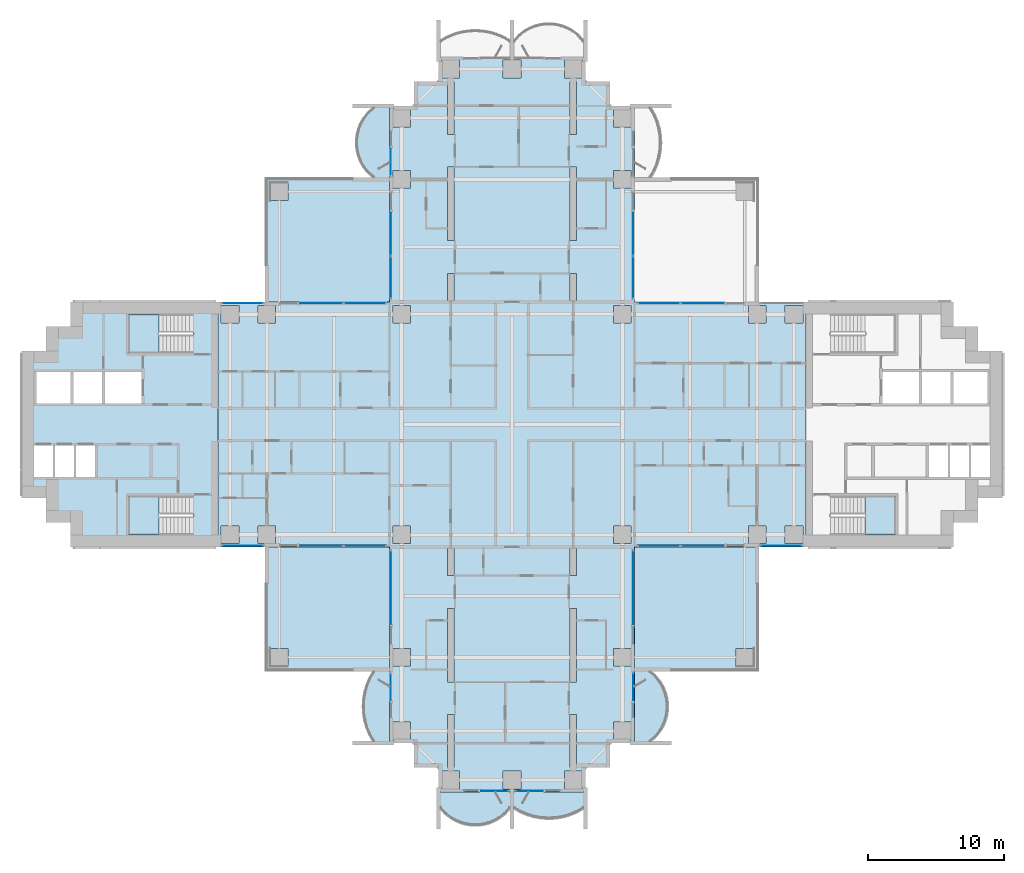
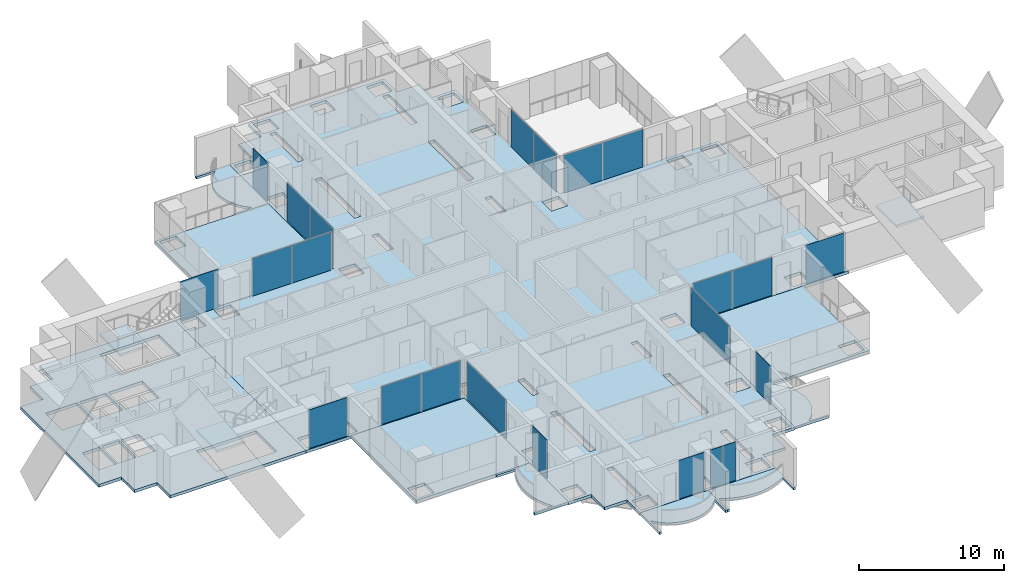
# One storey, part 9 of 23: 22 plates, 13 slabs, 19 elements without a shape of their own.
"""IFC4 building model written with IfcOpenShell, lengths in metres."""

from ifc_helpers import new_model, si_unit, direction, frame, origin, origin_2d, place, context, subcontext, project, spatial, polyline, rectangle, outline, extrude, material, layer, layer_set, type_object, element, aggregate, save


model = new_model("IFC4")

# Units and contexts
model_context = context("Model", 3, precision=1e-05, world=origin(), true_north=direction((0.0, 1.0)))
body_context = subcontext(model_context, "Body", "Model", "MODEL_VIEW")
ifc_project = project(units=[si_unit("LENGTHUNIT", "METRE"), si_unit("AREAUNIT", "SQUARE_METRE"), si_unit("VOLUMEUNIT", "CUBIC_METRE"), si_unit("PLANEANGLEUNIT", "RADIAN"), si_unit("MASSUNIT", "GRAM", prefix="KILO")], contexts=[model_context])

# Site, building, storey
site_placement = place(None, origin())
site = spatial("IfcSite", under=ifc_project, at=site_placement, CompositionType="ELEMENT")
building_placement = place(site_placement, origin())
building = spatial("IfcBuilding", under=site, at=building_placement, Name="Perihelion Cross Residences", CompositionType="ELEMENT")
storey_placement = place(building_placement, frame((0.0, 0.0, 61.0)))
storey = spatial("IfcBuildingStorey", under=building, at=storey_placement, Name="L12", CompositionType="ELEMENT", Elevation=61.0)

# Slabs
ifc_material_1 = material(Name="Concrete C40/50", Category="concrete")
ifc_layer_1 = layer(ifc_material_1, 0.199951171875)
ifc_layer_set_1 = layer_set([ifc_layer_1], Name="Balcony slab 200")
slab_type_1 = type_object("IfcSlabType", Name="Balcony slab 200", PredefinedType="FLOOR", material=ifc_layer_set_1)
slab_1_placement = place(storey_placement, frame((0.0, 0.0, -0.199951171875)))
element("IfcSlab", 1, at=slab_1_placement, inside=storey, type_object=slab_type_1, Name="Slab BK1 L12 north side west bay 1 balcony", PredefinedType="FLOOR", context=body_context, shape_type="SweptSolid", body=[
    extrude(outline(polyline([(-9.0, 23.39990234375), (-9.0, 18.0), (-11.699951171875, 18.0), (-11.699951171875, 18.14990234375), (-10.199951171875, 18.14990234375), (-10.622314453125, 18.542236328125), (-10.924072265625, 18.9345703125), (-11.143310546875, 19.326904296875), (-11.29736328125, 19.71923828125), (-11.39599609375, 20.111572265625), (-11.444091796875, 20.50390625), (-11.444091796875, 20.896240234375), (-11.39599609375, 21.28857421875), (-11.29736328125, 21.6806640625), (-11.143310546875, 22.072998046875), (-10.924072265625, 22.46533203125), (-10.622314453125, 22.857666015625), (-10.199951171875, 23.25), (-11.699951171875, 23.25), (-11.699951171875, 23.39990234375), (-9.0, 23.39990234375)])), origin(), (0.0, 0.0, 1.0), 0.199951171875),
])
slab_2_placement = place(storey_placement, frame((0.0, 0.0, -0.199951171875)))
element("IfcSlab", 2, at=slab_2_placement, inside=storey, type_object=slab_type_1, Name="Slab BK1 L12 south side west bay 2 balcony", PredefinedType="FLOOR", context=body_context, shape_type="SweptSolid", body=[
    extrude(outline(polyline([(-9.0, -18.0), (-9.0, -23.39990234375), (-11.699951171875, -23.39990234375), (-11.699951171875, -23.25), (-10.199951171875, -23.25), (-10.4853515625, -22.739990234375), (-10.694580078125, -22.22998046875), (-10.838134765625, -21.719970703125), (-10.92236328125, -21.2099609375), (-10.949951171875, -20.699951171875), (-10.92236328125, -20.18994140625), (-10.838134765625, -19.679931640625), (-10.694580078125, -19.169921875), (-10.4853515625, -18.659912109375), (-10.199951171875, -18.14990234375), (-11.699951171875, -18.14990234375), (-11.699951171875, -18.0), (-9.0, -18.0)])), origin(), (0.0, 0.0, 1.0), 0.199951171875),
])
slab_3_placement = place(storey_placement, frame((0.0, 0.0, -0.199951171875)))
element("IfcSlab", 3, at=slab_3_placement, inside=storey, type_object=slab_type_1, Name="Slab BK1 L12 south tip south bay 1 balcony", PredefinedType="FLOOR", context=body_context, shape_type="SweptSolid", body=[
    extrude(outline(polyline([(-5.39990234375, -27.0), (0.0, -27.0), (0.0, -29.699951171875), (-0.14990234375, -29.699951171875), (-0.14990234375, -28.199951171875), (-0.542236328125, -28.622314453125), (-0.9345703125, -28.924072265625), (-1.326904296875, -29.143310546875), (-1.71923828125, -29.29736328125), (-2.111572265625, -29.39599609375), (-2.50390625, -29.444091796875), (-2.896240234375, -29.444091796875), (-3.28857421875, -29.39599609375), (-3.6806640625, -29.29736328125), (-4.072998046875, -29.143310546875), (-4.46533203125, -28.924072265625), (-4.857666015625, -28.622314453125), (-5.25, -28.199951171875), (-5.25, -29.699951171875), (-5.39990234375, -29.699951171875), (-5.39990234375, -27.0)])), origin(), (0.0, 0.0, 1.0), 0.199951171875),
])
slab_4_placement = place(storey_placement, frame((0.0, 0.0, -0.199951171875)))
element("IfcSlab", 4, at=slab_4_placement, inside=storey, type_object=slab_type_1, Name="Slab BK1 L12 south tip south bay 2 balcony", PredefinedType="FLOOR", context=body_context, shape_type="SweptSolid", body=[
    extrude(outline(polyline([(0.0, -27.0), (5.39990234375, -27.0), (5.39990234375, -29.699951171875), (5.25, -29.699951171875), (5.25, -28.199951171875), (4.739990234375, -28.4853515625), (4.22998046875, -28.694580078125), (3.719970703125, -28.838134765625), (3.2099609375, -28.92236328125), (2.699951171875, -28.949951171875), (2.18994140625, -28.92236328125), (1.679931640625, -28.838134765625), (1.169921875, -28.694580078125), (0.659912109375, -28.4853515625), (0.14990234375, -28.199951171875), (0.14990234375, -29.699951171875), (0.0, -29.699951171875), (0.0, -27.0)])), origin(), (0.0, 0.0, 1.0), 0.199951171875),
])
slab_5_placement = place(storey_placement, frame((0.0, 0.0, -0.199951171875)))
element("IfcSlab", 5, at=slab_5_placement, inside=storey, type_object=slab_type_1, Name="Slab BK1 L12 south side east bay 1 balcony", PredefinedType="FLOOR", context=body_context, shape_type="SweptSolid", body=[
    extrude(outline(polyline([(9.0, -23.39990234375), (9.0, -18.0), (11.699951171875, -18.0), (11.699951171875, -18.14990234375), (10.199951171875, -18.14990234375), (10.622314453125, -18.542236328125), (10.924072265625, -18.9345703125), (11.143310546875, -19.326904296875), (11.29736328125, -19.71923828125), (11.39599609375, -20.111572265625), (11.444091796875, -20.50390625), (11.444091796875, -20.896240234375), (11.39599609375, -21.28857421875), (11.29736328125, -21.6806640625), (11.143310546875, -22.072998046875), (10.924072265625, -22.46533203125), (10.622314453125, -22.857666015625), (10.199951171875, -23.25), (11.699951171875, -23.25), (11.699951171875, -23.39990234375), (9.0, -23.39990234375)])), origin(), (0.0, 0.0, 1.0), 0.199951171875),
])

# Curtain wall, plates
ifc_material_2 = material(Name="Bronze anodised aluminium, tinted glazing", Category="aluminium")
curtain_wall_type = type_object("IfcCurtainWallType", Name="CW1", PredefinedType="NOTDEFINED", material=ifc_material_2)
curtain_wall_1_placement = place(storey_placement, origin())
curtain_wall_1 = element("IfcCurtainWall", 6, at=curtain_wall_1_placement, inside=storey, type_object=curtain_wall_type, Name="Curtain wall CW1 L12 east side north bay 2", PredefinedType="NOTDEFINED")
ifc_material_3 = material(Name="Tinted laminated glass", Category="glass")
ifc_layer_2 = layer(ifc_material_3, 0.028076171875)
ifc_layer_set_2 = layer_set([ifc_layer_2], Name="CW1 panel")
plate_type = type_object("IfcPlateType", Name="CW1 panel", PredefinedType="CURTAIN_PANEL", material=ifc_layer_set_2)
plate_1_placement = place(storey_placement, frame((13.9775390625, 8.89990234375, 0.0), z_axis=(0.0, 0.0, 1.0), x_axis=(-1.0, 0.0, 0.0)))
plate_1 = element("IfcPlate", 7, at=plate_1_placement, type_object=plate_type, Name="CW1 panel 1", PredefinedType="CURTAIN_PANEL", context=body_context, shape_type="SweptSolid", body=[
    extrude(rectangle(XDim=3.14501953125, YDim=0.028076171875, at=origin_2d()), origin(), (0.0, 0.0, 1.0), 3.18994140625),
])
plate_2_placement = place(storey_placement, frame((10.802490234375, 8.89990234375, 0.0), z_axis=(0.0, 0.0, 1.0), x_axis=(-1.0, 0.0, 0.0)))
plate_2 = element("IfcPlate", 8, at=plate_2_placement, type_object=plate_type, Name="CW1 panel 2", PredefinedType="CURTAIN_PANEL", context=body_context, shape_type="SweptSolid", body=[
    extrude(rectangle(XDim=3.0849609375, YDim=0.028076171875, at=origin_2d()), origin(), (0.0, 0.0, 1.0), 3.18994140625),
])
aggregate(curtain_wall_1, [plate_1, plate_2])

curtain_wall_2_placement = place(storey_placement, origin())
curtain_wall_2 = element("IfcCurtainWall", 9, at=curtain_wall_2_placement, inside=storey, type_object=curtain_wall_type, Name="Curtain wall CW1 L12 north side east bay 1", PredefinedType="NOTDEFINED")
plate_3_placement = place(storey_placement, frame((8.89990234375, 10.802490234375, 0.0), z_axis=(0.0, 0.0, 1.0), x_axis=(0.0, 1.0, 0.0)))
plate_3 = element("IfcPlate", 10, at=plate_3_placement, type_object=plate_type, Name="CW1 panel 1", PredefinedType="CURTAIN_PANEL", context=body_context, shape_type="SweptSolid", body=[
    extrude(rectangle(XDim=3.0849609375, YDim=0.028076171875, at=origin_2d()), origin(), (0.0, 0.0, 1.0), 3.18994140625),
])
plate_4_placement = place(storey_placement, frame((8.89990234375, 13.9775390625, 0.0), z_axis=(0.0, 0.0, 1.0), x_axis=(0.0, 1.0, 0.0)))
plate_4 = element("IfcPlate", 11, at=plate_4_placement, type_object=plate_type, Name="CW1 panel 2", PredefinedType="CURTAIN_PANEL", context=body_context, shape_type="SweptSolid", body=[
    extrude(rectangle(XDim=3.14501953125, YDim=0.028076171875, at=origin_2d()), origin(), (0.0, 0.0, 1.0), 3.18994140625),
])
aggregate(curtain_wall_2, [plate_3, plate_4])

# Curtain wall, plate
curtain_wall_3_placement = place(storey_placement, origin())
curtain_wall_3 = element("IfcCurtainWall", 12, at=curtain_wall_3_placement, inside=storey, type_object=curtain_wall_type, Name="Curtain wall CW1 L12 north side west bay 1", PredefinedType="NOTDEFINED")
plate_5_placement = place(storey_placement, frame((-8.89990234375, 19.2548828125, 0.0), z_axis=(0.0, 0.0, 1.0), x_axis=(0.0, -1.0, 0.0)))
plate_5 = element("IfcPlate", 13, at=plate_5_placement, type_object=plate_type, Name="CW1 panel 1", PredefinedType="CURTAIN_PANEL", context=body_context, shape_type="SweptSolid", body=[
    extrude(rectangle(XDim=1.989990234375, YDim=0.028076171875, at=origin_2d()), origin(), (0.0, 0.0, 1.0), 3.25),
])
aggregate(curtain_wall_3, [plate_5])

# Curtain wall, plates
curtain_wall_4_placement = place(storey_placement, origin())
curtain_wall_4 = element("IfcCurtainWall", 14, at=curtain_wall_4_placement, inside=storey, type_object=curtain_wall_type, Name="Curtain wall CW1 L12 north side west bay 2", PredefinedType="NOTDEFINED")
plate_6_placement = place(storey_placement, frame((-8.89990234375, 13.9775390625, 0.0), z_axis=(0.0, 0.0, 1.0), x_axis=(0.0, -1.0, 0.0)))
plate_6 = element("IfcPlate", 15, at=plate_6_placement, type_object=plate_type, Name="CW1 panel 1", PredefinedType="CURTAIN_PANEL", context=body_context, shape_type="SweptSolid", body=[
    extrude(rectangle(XDim=3.14501953125, YDim=0.028076171875, at=origin_2d()), origin(), (0.0, 0.0, 1.0), 3.18994140625),
])
plate_7_placement = place(storey_placement, frame((-8.89990234375, 10.802490234375, 0.0), z_axis=(0.0, 0.0, 1.0), x_axis=(0.0, -1.0, 0.0)))
plate_7 = element("IfcPlate", 16, at=plate_7_placement, type_object=plate_type, Name="CW1 panel 2", PredefinedType="CURTAIN_PANEL", context=body_context, shape_type="SweptSolid", body=[
    extrude(rectangle(XDim=3.0849609375, YDim=0.028076171875, at=origin_2d()), origin(), (0.0, 0.0, 1.0), 3.18994140625),
])
aggregate(curtain_wall_4, [plate_6, plate_7])

curtain_wall_5_placement = place(storey_placement, origin())
curtain_wall_5 = element("IfcCurtainWall", 17, at=curtain_wall_5_placement, inside=storey, type_object=curtain_wall_type, Name="Curtain wall CW1 L12 west side north bay 1", PredefinedType="NOTDEFINED")
plate_8_placement = place(storey_placement, frame((-10.802490234375, 8.89990234375, 0.0), z_axis=(0.0, 0.0, 1.0), x_axis=(-1.0, 0.0, 0.0)))
plate_8 = element("IfcPlate", 18, at=plate_8_placement, type_object=plate_type, Name="CW1 panel 1", PredefinedType="CURTAIN_PANEL", context=body_context, shape_type="SweptSolid", body=[
    extrude(rectangle(XDim=3.0849609375, YDim=0.028076171875, at=origin_2d()), origin(), (0.0, 0.0, 1.0), 3.18994140625),
])
plate_9_placement = place(storey_placement, frame((-13.9775390625, 8.89990234375, 0.0), z_axis=(0.0, 0.0, 1.0), x_axis=(-1.0, 0.0, 0.0)))
plate_9 = element("IfcPlate", 19, at=plate_9_placement, type_object=plate_type, Name="CW1 panel 2", PredefinedType="CURTAIN_PANEL", context=body_context, shape_type="SweptSolid", body=[
    extrude(rectangle(XDim=3.14501953125, YDim=0.028076171875, at=origin_2d()), origin(), (0.0, 0.0, 1.0), 3.18994140625),
])
aggregate(curtain_wall_5, [plate_8, plate_9])

# Curtain wall, plate
curtain_wall_6_placement = place(storey_placement, origin())
curtain_wall_6 = element("IfcCurtainWall", 20, at=curtain_wall_6_placement, inside=storey, type_object=curtain_wall_type, Name="Curtain wall CW1 L12 west side north bay 2", PredefinedType="NOTDEFINED")
plate_10_placement = place(storey_placement, frame((-19.77490234375, 8.89990234375, 0.0), z_axis=(0.0, 0.0, 1.0), x_axis=(-1.0, 0.0, 0.0)))
plate_10 = element("IfcPlate", 21, at=plate_10_placement, type_object=plate_type, Name="CW1 panel 1", PredefinedType="CURTAIN_PANEL", context=body_context, shape_type="SweptSolid", body=[
    extrude(rectangle(XDim=3.030029296875, YDim=0.028076171875, at=origin_2d()), origin(), (0.0, 0.0, 1.0), 3.25),
])
aggregate(curtain_wall_6, [plate_10])

curtain_wall_7_placement = place(storey_placement, origin())
curtain_wall_7 = element("IfcCurtainWall", 22, at=curtain_wall_7_placement, inside=storey, type_object=curtain_wall_type, Name="Curtain wall CW1 L12 west side south bay 1", PredefinedType="NOTDEFINED")
plate_11_placement = place(storey_placement, frame((-19.77490234375, -8.89990234375, 0.0), z_axis=(0.0, 0.0, 1.0), x_axis=(1.0, 0.0, 0.0)))
plate_11 = element("IfcPlate", 23, at=plate_11_placement, type_object=plate_type, Name="CW1 panel 1", PredefinedType="CURTAIN_PANEL", context=body_context, shape_type="SweptSolid", body=[
    extrude(rectangle(XDim=3.030029296875, YDim=0.028076171875, at=origin_2d()), origin(), (0.0, 0.0, 1.0), 3.25),
])
aggregate(curtain_wall_7, [plate_11])

# Curtain wall, plates
curtain_wall_8_placement = place(storey_placement, origin())
curtain_wall_8 = element("IfcCurtainWall", 24, at=curtain_wall_8_placement, inside=storey, type_object=curtain_wall_type, Name="Curtain wall CW1 L12 west side south bay 2", PredefinedType="NOTDEFINED")
plate_12_placement = place(storey_placement, frame((-13.9775390625, -8.89990234375, 0.0), z_axis=(0.0, 0.0, 1.0), x_axis=(1.0, 0.0, 0.0)))
plate_12 = element("IfcPlate", 25, at=plate_12_placement, type_object=plate_type, Name="CW1 panel 1", PredefinedType="CURTAIN_PANEL", context=body_context, shape_type="SweptSolid", body=[
    extrude(rectangle(XDim=3.14501953125, YDim=0.028076171875, at=origin_2d()), origin(), (0.0, 0.0, 1.0), 3.18994140625),
])
plate_13_placement = place(storey_placement, frame((-10.802490234375, -8.89990234375, 0.0), z_axis=(0.0, 0.0, 1.0), x_axis=(1.0, 0.0, 0.0)))
plate_13 = element("IfcPlate", 26, at=plate_13_placement, type_object=plate_type, Name="CW1 panel 2", PredefinedType="CURTAIN_PANEL", context=body_context, shape_type="SweptSolid", body=[
    extrude(rectangle(XDim=3.0849609375, YDim=0.028076171875, at=origin_2d()), origin(), (0.0, 0.0, 1.0), 3.18994140625),
])
aggregate(curtain_wall_8, [plate_12, plate_13])

# Curtain wall, plate
curtain_wall_9_placement = place(storey_placement, origin())
curtain_wall_9 = element("IfcCurtainWall", 27, at=curtain_wall_9_placement, inside=storey, type_object=curtain_wall_type, Name="Curtain wall CW1 L12 south side west bay 1", PredefinedType="NOTDEFINED")
plate_14_placement = place(storey_placement, frame((-8.89990234375, -11.955078125, 0.0), z_axis=(0.0, 0.0, 1.0), x_axis=(0.0, -1.0, 0.0)))
plate_14 = element("IfcPlate", 28, at=plate_14_placement, type_object=plate_type, Name="CW1 panel 1", PredefinedType="CURTAIN_PANEL", context=body_context, shape_type="SweptSolid", body=[
    extrude(rectangle(XDim=5.389892578125, YDim=0.028076171875, at=origin_2d()), origin(), (0.0, 0.0, 1.0), 3.18994140625),
])
aggregate(curtain_wall_9, [plate_14])

curtain_wall_10_placement = place(storey_placement, origin())
curtain_wall_10 = element("IfcCurtainWall", 29, at=curtain_wall_10_placement, inside=storey, type_object=curtain_wall_type, Name="Curtain wall CW1 L12 south side west bay 2", PredefinedType="NOTDEFINED")
plate_15_placement = place(storey_placement, frame((-8.89990234375, -19.2548828125, 0.0), z_axis=(0.0, 0.0, 1.0), x_axis=(0.0, -1.0, 0.0)))
plate_15 = element("IfcPlate", 30, at=plate_15_placement, type_object=plate_type, Name="CW1 panel 1", PredefinedType="CURTAIN_PANEL", context=body_context, shape_type="SweptSolid", body=[
    extrude(rectangle(XDim=1.989990234375, YDim=0.028076171875, at=origin_2d()), origin(), (0.0, 0.0, 1.0), 3.25),
])
aggregate(curtain_wall_10, [plate_15])

curtain_wall_11_placement = place(storey_placement, origin())
curtain_wall_11 = element("IfcCurtainWall", 31, at=curtain_wall_11_placement, inside=storey, type_object=curtain_wall_type, Name="Curtain wall CW1 L12 south tip south bay 1", PredefinedType="NOTDEFINED")
plate_16_placement = place(storey_placement, frame((-1.2548828125, -26.89990234375, 0.0), z_axis=(0.0, 0.0, 1.0), x_axis=(1.0, 0.0, 0.0)))
plate_16 = element("IfcPlate", 32, at=plate_16_placement, type_object=plate_type, Name="CW1 panel 1", PredefinedType="CURTAIN_PANEL", context=body_context, shape_type="SweptSolid", body=[
    extrude(rectangle(XDim=1.989990234375, YDim=0.028076171875, at=origin_2d()), origin(), (0.0, 0.0, 1.0), 3.25),
])
aggregate(curtain_wall_11, [plate_16])

curtain_wall_12_placement = place(storey_placement, origin())
curtain_wall_12 = element("IfcCurtainWall", 33, at=curtain_wall_12_placement, inside=storey, type_object=curtain_wall_type, Name="Curtain wall CW1 L12 south tip south bay 2", PredefinedType="NOTDEFINED")
plate_17_placement = place(storey_placement, frame((1.2548828125, -26.89990234375, 0.0), z_axis=(0.0, 0.0, 1.0), x_axis=(1.0, 0.0, 0.0)))
plate_17 = element("IfcPlate", 34, at=plate_17_placement, type_object=plate_type, Name="CW1 panel 1", PredefinedType="CURTAIN_PANEL", context=body_context, shape_type="SweptSolid", body=[
    extrude(rectangle(XDim=1.989990234375, YDim=0.028076171875, at=origin_2d()), origin(), (0.0, 0.0, 1.0), 3.25),
])
aggregate(curtain_wall_12, [plate_17])

curtain_wall_13_placement = place(storey_placement, origin())
curtain_wall_13 = element("IfcCurtainWall", 35, at=curtain_wall_13_placement, inside=storey, type_object=curtain_wall_type, Name="Curtain wall CW1 L12 south side east bay 1", PredefinedType="NOTDEFINED")
plate_18_placement = place(storey_placement, frame((8.89990234375, -19.2548828125, 0.0), z_axis=(0.0, 0.0, 1.0), x_axis=(0.0, 1.0, 0.0)))
plate_18 = element("IfcPlate", 36, at=plate_18_placement, type_object=plate_type, Name="CW1 panel 1", PredefinedType="CURTAIN_PANEL", context=body_context, shape_type="SweptSolid", body=[
    extrude(rectangle(XDim=1.989990234375, YDim=0.028076171875, at=origin_2d()), origin(), (0.0, 0.0, 1.0), 3.25),
])
aggregate(curtain_wall_13, [plate_18])

curtain_wall_14_placement = place(storey_placement, origin())
curtain_wall_14 = element("IfcCurtainWall", 37, at=curtain_wall_14_placement, inside=storey, type_object=curtain_wall_type, Name="Curtain wall CW1 L12 south side east bay 2", PredefinedType="NOTDEFINED")
plate_19_placement = place(storey_placement, frame((8.89990234375, -11.955078125, 0.0), z_axis=(0.0, 0.0, 1.0), x_axis=(0.0, 1.0, 0.0)))
plate_19 = element("IfcPlate", 38, at=plate_19_placement, type_object=plate_type, Name="CW1 panel 1", PredefinedType="CURTAIN_PANEL", context=body_context, shape_type="SweptSolid", body=[
    extrude(rectangle(XDim=5.389892578125, YDim=0.028076171875, at=origin_2d()), origin(), (0.0, 0.0, 1.0), 3.18994140625),
])
aggregate(curtain_wall_14, [plate_19])

# Curtain wall, plates
curtain_wall_15_placement = place(storey_placement, origin())
curtain_wall_15 = element("IfcCurtainWall", 39, at=curtain_wall_15_placement, inside=storey, type_object=curtain_wall_type, Name="Curtain wall CW1 L12 east side south bay 1", PredefinedType="NOTDEFINED")
plate_20_placement = place(storey_placement, frame((10.802490234375, -8.89990234375, 0.0), z_axis=(0.0, 0.0, 1.0), x_axis=(1.0, 0.0, 0.0)))
plate_20 = element("IfcPlate", 40, at=plate_20_placement, type_object=plate_type, Name="CW1 panel 1", PredefinedType="CURTAIN_PANEL", context=body_context, shape_type="SweptSolid", body=[
    extrude(rectangle(XDim=3.0849609375, YDim=0.028076171875, at=origin_2d()), origin(), (0.0, 0.0, 1.0), 3.18994140625),
])
plate_21_placement = place(storey_placement, frame((13.9775390625, -8.89990234375, 0.0), z_axis=(0.0, 0.0, 1.0), x_axis=(1.0, 0.0, 0.0)))
plate_21 = element("IfcPlate", 41, at=plate_21_placement, type_object=plate_type, Name="CW1 panel 2", PredefinedType="CURTAIN_PANEL", context=body_context, shape_type="SweptSolid", body=[
    extrude(rectangle(XDim=3.14501953125, YDim=0.028076171875, at=origin_2d()), origin(), (0.0, 0.0, 1.0), 3.18994140625),
])
aggregate(curtain_wall_15, [plate_20, plate_21])

# Curtain wall, plate
curtain_wall_16_placement = place(storey_placement, origin())
curtain_wall_16 = element("IfcCurtainWall", 42, at=curtain_wall_16_placement, inside=storey, type_object=curtain_wall_type, Name="Curtain wall CW1 L12 east side south bay 2", PredefinedType="NOTDEFINED")
plate_22_placement = place(storey_placement, frame((19.77490234375, -8.89990234375, 0.0), z_axis=(0.0, 0.0, 1.0), x_axis=(1.0, 0.0, 0.0)))
plate_22 = element("IfcPlate", 43, at=plate_22_placement, type_object=plate_type, Name="CW1 panel 1", PredefinedType="CURTAIN_PANEL", context=body_context, shape_type="SweptSolid", body=[
    extrude(rectangle(XDim=3.030029296875, YDim=0.028076171875, at=origin_2d()), origin(), (0.0, 0.0, 1.0), 3.25),
])
aggregate(curtain_wall_16, [plate_22])

# Slabs
ifc_material_4 = material(Name="Concrete C40/50", Category="concrete")
ifc_layer_3 = layer(ifc_material_4, 0.25)
ifc_layer_set_3 = layer_set([ifc_layer_3], Name="Core floor slab 250")
slab_type_2 = type_object("IfcSlabType", Name="Core floor slab 250", PredefinedType="FLOOR", material=ifc_layer_set_3)
slab_6_placement = place(storey_placement, frame((0.0, 0.0, -0.25)))
element("IfcSlab", 44, at=slab_6_placement, inside=storey, type_object=slab_type_2, Name="West core floor slab", PredefinedType="FLOOR", context=body_context, shape_type="SweptSolid", body=[
    extrude(outline(polyline([(-32.39990234375, 7.199951171875), (-34.199951171875, 7.199951171875), (-34.199951171875, 5.39990234375), (-36.0, 5.39990234375), (-36.0, -5.39990234375), (-34.199951171875, -5.39990234375), (-34.199951171875, -7.199951171875), (-32.39990234375, -7.199951171875), (-32.39990234375, -9.0), (-21.60009765625, -9.0), (-21.60009765625, 9.0), (-32.39990234375, 9.0), (-32.39990234375, 7.199951171875)]), holes=[polyline([(-23.405029296875, -8.10009765625), (-28.14990234375, -8.10009765625), (-28.14990234375, -5.25), (-23.405029296875, -5.25), (-23.405029296875, -8.10009765625)]), polyline([(-30.60009765625, -1.550048828125), (-30.60009765625, -3.85009765625), (-32.0, -3.85009765625), (-32.0, -1.550048828125), (-30.60009765625, -1.550048828125)]), polyline([(-32.14990234375, -1.550048828125), (-32.14990234375, -3.85009765625), (-33.550048828125, -3.85009765625), (-33.550048828125, -1.550048828125), (-32.14990234375, -1.550048828125)]), polyline([(-33.699951171875, -1.550048828125), (-33.699951171875, -3.85009765625), (-35.10009765625, -3.85009765625), (-35.10009765625, -1.550048828125), (-33.699951171875, -1.550048828125)]), polyline([(-27.199951171875, 3.85009765625), (-27.199951171875, 1.550048828125), (-29.89990234375, 1.550048828125), (-29.89990234375, 3.85009765625), (-27.199951171875, 3.85009765625)]), polyline([(-30.10009765625, 3.85009765625), (-30.10009765625, 1.550048828125), (-32.199951171875, 1.550048828125), (-32.199951171875, 3.85009765625), (-30.10009765625, 3.85009765625)]), polyline([(-32.39990234375, 3.85009765625), (-32.39990234375, 1.550048828125), (-34.89990234375, 1.550048828125), (-34.89990234375, 3.85009765625), (-32.39990234375, 3.85009765625)]), polyline([(-23.405029296875, 5.25), (-28.14990234375, 5.25), (-28.14990234375, 8.10009765625), (-23.405029296875, 8.10009765625), (-23.405029296875, 5.25)])]), origin(), (0.0, 0.0, 1.0), 0.25),
])
ifc_material_5 = material(Name="Concrete C40/50", Category="concrete")
ifc_layer_4 = layer(ifc_material_5, 0.25)
ifc_layer_set_4 = layer_set([ifc_layer_4], Name="Corner terrace slab")
slab_type_3 = type_object("IfcSlabType", Name="Corner terrace slab", PredefinedType="FLOOR", material=ifc_layer_set_4)
slab_7_placement = place(storey_placement, frame((0.0, 0.0, -0.25)))
element("IfcSlab", 45, at=slab_7_placement, inside=storey, type_object=slab_type_3, Name="Slab BK2 L12 pocket north-west", PredefinedType="FLOOR", context=body_context, shape_type="SweptSolid", body=[
    extrude(outline(polyline([(-9.0, 9.0), (-9.0, 18.0), (-18.0, 18.0), (-18.0, 9.0), (-9.0, 9.0)]), holes=[polyline([(-17.7900390625, 16.409912109375), (-17.7900390625, 17.7900390625), (-16.449951171875, 17.7900390625), (-16.449951171875, 16.449951171875), (-17.75, 16.449951171875), (-17.75, 16.409912109375), (-17.7900390625, 16.409912109375)])]), origin(), (0.0, 0.0, 1.0), 0.25),
])
slab_8_placement = place(storey_placement, frame((0.0, 0.0, -0.25)))
element("IfcSlab", 46, at=slab_8_placement, inside=storey, type_object=slab_type_3, Name="Slab BK2 L12 pocket south-west", PredefinedType="FLOOR", context=body_context, shape_type="SweptSolid", body=[
    extrude(outline(polyline([(-9.0, -18.0), (-9.0, -9.0), (-18.0, -9.0), (-18.0, -18.0), (-9.0, -18.0)]), holes=[polyline([(-17.7900390625, -16.409912109375), (-17.75, -16.409912109375), (-17.75, -16.449951171875), (-16.449951171875, -16.449951171875), (-16.449951171875, -17.7900390625), (-17.7900390625, -17.7900390625), (-17.7900390625, -16.409912109375)])]), origin(), (0.0, 0.0, 1.0), 0.25),
])
slab_9_placement = place(storey_placement, frame((0.0, 0.0, -0.25)))
element("IfcSlab", 47, at=slab_9_placement, inside=storey, type_object=slab_type_3, Name="Slab BK2 L12 pocket south-east", PredefinedType="FLOOR", context=body_context, shape_type="SweptSolid", body=[
    extrude(outline(polyline([(18.0, -18.0), (18.0, -9.0), (9.0, -9.0), (9.0, -18.0), (18.0, -18.0)]), holes=[polyline([(16.449951171875, -17.7900390625), (16.449951171875, -16.449951171875), (17.75, -16.449951171875), (17.75, -16.409912109375), (17.7900390625, -16.409912109375), (17.7900390625, -17.7900390625), (16.449951171875, -17.7900390625)])]), origin(), (0.0, 0.0, 1.0), 0.25),
])

# Stair, slab
ifc_material_6 = material(Name="Concrete C40/50", Category="concrete")
stair_type = type_object("IfcStairType", Name="Exit stair, half-turn", PredefinedType="HALF_TURN_STAIR", material=ifc_material_6)
stair_1_placement = place(storey_placement, origin())
stair_1 = element("IfcStair", 48, at=stair_1_placement, inside=storey, type_object=stair_type, Name="L12 East core exit stair 2", PredefinedType="HALF_TURN_STAIR")
ifc_material_7 = material(Name="Concrete C40/50", Category="concrete")
ifc_layer_5 = layer(ifc_material_7, 0.199951171875)
ifc_layer_set_5 = layer_set([ifc_layer_5], Name="Exit stair landing 200")
slab_type_4 = type_object("IfcSlabType", Name="Exit stair landing 200", PredefinedType="LANDING", material=ifc_layer_set_5)
slab_10_placement = place(storey_placement, frame((0.0, 0.0, 1.550048828125)))
slab_10 = element("IfcSlab", 49, at=slab_10_placement, type_object=slab_type_4, Name="ST-E2 landing 1", PredefinedType="LANDING", context=body_context, shape_type="SweptSolid", body=[
    extrude(outline(polyline([(25.919921875, -8.10009765625), (28.14990234375, -8.10009765625), (28.14990234375, -5.25), (25.919921875, -5.25), (25.919921875, -8.10009765625)])), origin(), (0.0, 0.0, 1.0), 0.199951171875),
])
aggregate(stair_1, [slab_10])

stair_2_placement = place(storey_placement, origin())
stair_2 = element("IfcStair", 50, at=stair_2_placement, inside=storey, type_object=stair_type, Name="L12 West core exit stair 1", PredefinedType="HALF_TURN_STAIR")
slab_11_placement = place(storey_placement, frame((0.0, 0.0, 1.550048828125)))
slab_11 = element("IfcSlab", 51, at=slab_11_placement, type_object=slab_type_4, Name="ST-W1 landing 1", PredefinedType="LANDING", context=body_context, shape_type="SweptSolid", body=[
    extrude(outline(polyline([(-25.919921875, 8.10009765625), (-28.14990234375, 8.10009765625), (-28.14990234375, 5.25), (-25.919921875, 5.25), (-25.919921875, 8.10009765625)])), origin(), (0.0, 0.0, 1.0), 0.199951171875),
])
aggregate(stair_2, [slab_11])

stair_3_placement = place(storey_placement, origin())
stair_3 = element("IfcStair", 52, at=stair_3_placement, inside=storey, type_object=stair_type, Name="L12 West core exit stair 2", PredefinedType="HALF_TURN_STAIR")
slab_12_placement = place(storey_placement, frame((0.0, 0.0, 1.550048828125)))
slab_12 = element("IfcSlab", 53, at=slab_12_placement, type_object=slab_type_4, Name="ST-W2 landing 1", PredefinedType="LANDING", context=body_context, shape_type="SweptSolid", body=[
    extrude(outline(polyline([(-25.919921875, -5.25), (-28.14990234375, -5.25), (-28.14990234375, -8.10009765625), (-25.919921875, -8.10009765625), (-25.919921875, -5.25)])), origin(), (0.0, 0.0, 1.0), 0.199951171875),
])
aggregate(stair_3, [slab_12])

# Slab
ifc_material_8 = material(Name="Concrete C50/60", Category="concrete")
ifc_layer_6 = layer(ifc_material_8, 0.25)
ifc_layer_set_6 = layer_set([ifc_layer_6], Name="Residential floor post-tensioned slab concrete C50/60")
slab_type_5 = type_object("IfcSlabType", Name="Residential floor post-tensioned slab concrete C50/60", PredefinedType="FLOOR", material=ifc_layer_set_6)
slab_13_placement = place(storey_placement, frame((0.0, 0.0, -0.25)))
element("IfcSlab", 54, at=slab_13_placement, inside=storey, type_object=slab_type_5, Name="Slab SL8 L12 1 no. 1", PredefinedType="FLOOR", context=body_context, shape_type="SweptSolid", body=[
    extrude(outline(polyline([(-9.0, 9.0), (-9.0, 23.39990234375), (-7.199951171875, 23.39990234375), (-7.199951171875, 25.199951171875), (-5.39990234375, 25.199951171875), (-5.39990234375, 27.0), (5.39990234375, 27.0), (5.39990234375, 25.199951171875), (7.199951171875, 25.199951171875), (7.199951171875, 23.39990234375), (9.0, 23.39990234375), (9.0, 9.0), (21.60009765625, 9.0), (21.60009765625, -9.0), (9.0, -9.0), (9.0, -23.39990234375), (7.199951171875, -23.39990234375), (7.199951171875, -25.199951171875), (5.39990234375, -25.199951171875), (5.39990234375, -27.0), (-5.39990234375, -27.0), (-5.39990234375, -25.199951171875), (-7.199951171875, -25.199951171875), (-7.199951171875, -23.39990234375), (-9.0, -23.39990234375), (-9.0, -9.0), (-21.60009765625, -9.0), (-21.60009765625, 9.0), (-9.0, 9.0)]), holes=[polyline([(0.64990234375, -26.75), (0.64990234375, -25.449951171875), (-0.64990234375, -25.449951171875), (-0.64990234375, -26.75), (0.64990234375, -26.75)]), polyline([(-3.85009765625, -26.75), (-3.85009765625, -25.449951171875), (-5.14990234375, -25.449951171875), (-5.14990234375, -26.75), (-3.85009765625, -26.75)]), polyline([(-4.25, -25.199951171875), (-4.25, -21.300048828125), (-4.75, -21.300048828125), (-4.75, -25.199951171875), (-4.25, -25.199951171875)]), polyline([(-8.75, -23.14990234375), (-7.449951171875, -23.14990234375), (-7.449951171875, -21.85009765625), (-8.75, -21.85009765625), (-8.75, -23.14990234375)]), polyline([(-8.75, -17.75), (-7.449951171875, -17.75), (-7.449951171875, -16.449951171875), (-8.75, -16.449951171875), (-8.75, -17.75)]), polyline([(-4.25, -18.89990234375), (-4.25, -13.5), (-4.75, -13.5), (-4.75, -18.89990234375), (-4.25, -18.89990234375)]), polyline([(-4.25, -11.10009765625), (-4.25, -9.0), (-4.75, -9.0), (-4.75, -11.10009765625), (-4.25, -11.10009765625)]), polyline([(-7.449951171875, -8.75), (-7.449951171875, -7.449951171875), (-8.75, -7.449951171875), (-8.75, -8.75), (-7.449951171875, -8.75)]), polyline([(-18.64990234375, -8.75), (-17.35009765625, -8.75), (-17.35009765625, -7.449951171875), (-18.64990234375, -7.449951171875), (-18.64990234375, -8.75)]), polyline([(-21.35009765625, -8.75), (-20.050048828125, -8.75), (-20.050048828125, -7.449951171875), (-21.35009765625, -7.449951171875), (-21.35009765625, -8.75)]), polyline([(-17.35009765625, 7.449951171875), (-17.35009765625, 8.75), (-18.64990234375, 8.75), (-18.64990234375, 7.449951171875), (-17.35009765625, 7.449951171875)]), polyline([(-7.449951171875, 7.449951171875), (-7.449951171875, 8.75), (-8.75, 8.75), (-8.75, 7.449951171875), (-7.449951171875, 7.449951171875)]), polyline([(-21.35009765625, 7.449951171875), (-20.050048828125, 7.449951171875), (-20.050048828125, 8.75), (-21.35009765625, 8.75), (-21.35009765625, 7.449951171875)]), polyline([(-4.75, 9.0), (-4.25, 9.0), (-4.25, 11.10009765625), (-4.75, 11.10009765625), (-4.75, 9.0)]), polyline([(-4.25, 13.5), (-4.25, 18.89990234375), (-4.75, 18.89990234375), (-4.75, 13.5), (-4.25, 13.5)]), polyline([(-7.449951171875, 17.35009765625), (-7.449951171875, 18.64990234375), (-8.75, 18.64990234375), (-8.75, 17.35009765625), (-7.449951171875, 17.35009765625)]), polyline([(-7.449951171875, 21.85009765625), (-7.449951171875, 23.14990234375), (-8.75, 23.14990234375), (-8.75, 21.85009765625), (-7.449951171875, 21.85009765625)]), polyline([(-4.75, 21.300048828125), (-4.25, 21.300048828125), (-4.25, 25.199951171875), (-4.75, 25.199951171875), (-4.75, 21.300048828125)]), polyline([(-5.14990234375, 25.449951171875), (-3.85009765625, 25.449951171875), (-3.85009765625, 26.75), (-5.14990234375, 26.75), (-5.14990234375, 25.449951171875)]), polyline([(5.14990234375, -26.75), (5.14990234375, -25.449951171875), (3.85009765625, -25.449951171875), (3.85009765625, -26.75), (5.14990234375, -26.75)]), polyline([(4.75, -25.199951171875), (4.75, -21.300048828125), (4.25, -21.300048828125), (4.25, -25.199951171875), (4.75, -25.199951171875)]), polyline([(8.75, -23.14990234375), (8.75, -21.85009765625), (7.449951171875, -21.85009765625), (7.449951171875, -23.14990234375), (8.75, -23.14990234375)]), polyline([(7.449951171875, -17.75), (8.75, -17.75), (8.75, -16.449951171875), (7.449951171875, -16.449951171875), (7.449951171875, -17.75)]), polyline([(4.25, -18.89990234375), (4.75, -18.89990234375), (4.75, -13.5), (4.25, -13.5), (4.25, -18.89990234375)]), polyline([(4.75, -11.10009765625), (4.75, -9.0), (4.25, -9.0), (4.25, -11.10009765625), (4.75, -11.10009765625)]), polyline([(18.64990234375, -8.75), (18.64990234375, -7.449951171875), (17.35009765625, -7.449951171875), (17.35009765625, -8.75), (18.64990234375, -8.75)]), polyline([(21.35009765625, -8.75), (21.35009765625, -7.449951171875), (20.050048828125, -7.449951171875), (20.050048828125, -8.75), (21.35009765625, -8.75)]), polyline([(7.449951171875, -8.75), (8.75, -8.75), (8.75, -7.449951171875), (7.449951171875, -7.449951171875), (7.449951171875, -8.75)]), polyline([(21.35009765625, 7.449951171875), (21.35009765625, 8.75), (20.050048828125, 8.75), (20.050048828125, 7.449951171875), (21.35009765625, 7.449951171875)]), polyline([(8.75, 7.449951171875), (8.75, 8.75), (7.449951171875, 8.75), (7.449951171875, 7.449951171875), (8.75, 7.449951171875)]), polyline([(18.64990234375, 7.449951171875), (18.64990234375, 8.75), (17.35009765625, 8.75), (17.35009765625, 7.449951171875), (18.64990234375, 7.449951171875)]), polyline([(4.25, 9.0), (4.75, 9.0), (4.75, 11.10009765625), (4.25, 11.10009765625), (4.25, 9.0)]), polyline([(4.25, 13.5), (4.75, 13.5), (4.75, 18.89990234375), (4.25, 18.89990234375), (4.25, 13.5)]), polyline([(8.75, 17.35009765625), (8.75, 18.64990234375), (7.449951171875, 18.64990234375), (7.449951171875, 17.35009765625), (8.75, 17.35009765625)]), polyline([(8.75, 21.85009765625), (8.75, 23.14990234375), (7.449951171875, 23.14990234375), (7.449951171875, 21.85009765625), (8.75, 21.85009765625)]), polyline([(4.75, 21.300048828125), (4.75, 25.199951171875), (4.25, 25.199951171875), (4.25, 21.300048828125), (4.75, 21.300048828125)]), polyline([(-0.64990234375, 25.449951171875), (0.64990234375, 25.449951171875), (0.64990234375, 26.75), (-0.64990234375, 26.75), (-0.64990234375, 25.449951171875)]), polyline([(3.85009765625, 25.449951171875), (5.14990234375, 25.449951171875), (5.14990234375, 26.75), (3.85009765625, 26.75), (3.85009765625, 25.449951171875)])]), origin(), (0.0, 0.0, 1.0), 0.25),
])

save(model, "model.ifc")
